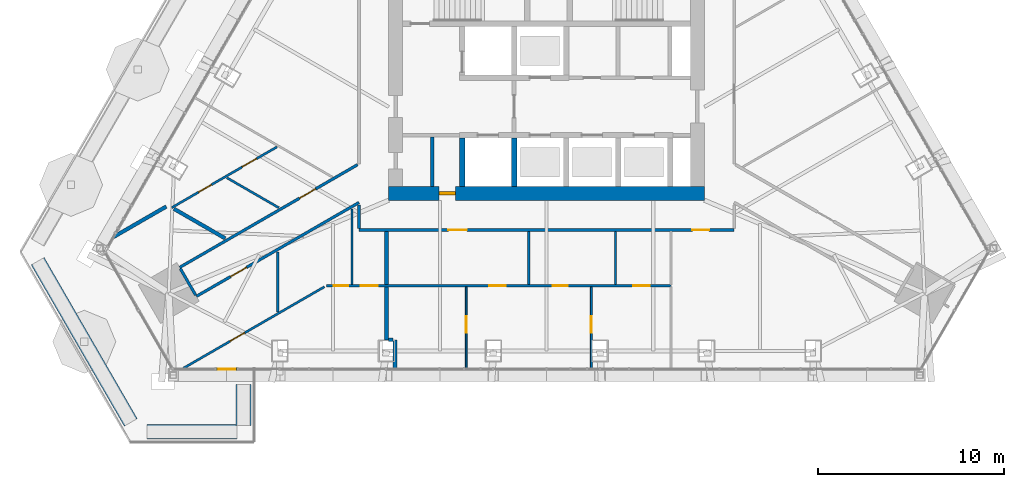
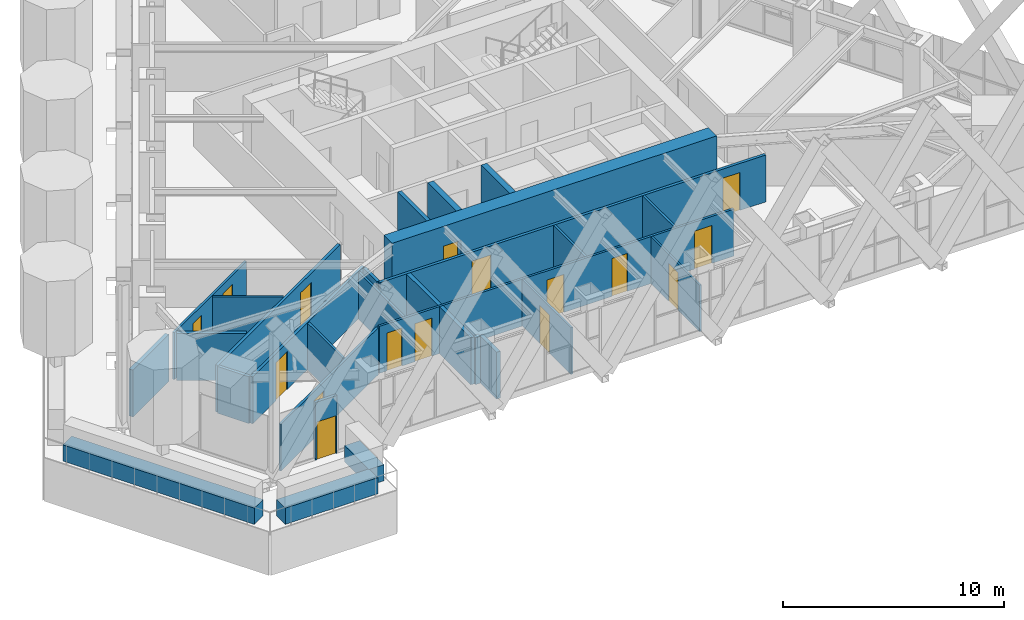
# One storey, part 18 of 24: 29 walls, 16 doors, 16 openings, 1 element without a shape of its own.
"""IFC4 building model written with IfcOpenShell, lengths in metres."""

from ifc_helpers import new_model, si_unit, direction, frame, frame_2d, origin, place, context, subcontext, project, spatial, rectangle, extrude, material, layer, layer_set, type_object, element, fill, aggregate, save


model = new_model("IFC4")

# Units and contexts
model_context = context("Model", 3, precision=1e-05, world=origin(), true_north=direction((0.0, 1.0)))
body_context = subcontext(model_context, "Body", "Model", "MODEL_VIEW")
ifc_project = project(units=[si_unit("LENGTHUNIT", "METRE"), si_unit("AREAUNIT", "SQUARE_METRE"), si_unit("VOLUMEUNIT", "CUBIC_METRE"), si_unit("PLANEANGLEUNIT", "RADIAN"), si_unit("MASSUNIT", "GRAM", prefix="KILO")], contexts=[model_context])

# Site, building, storey
site_placement = place(None, origin())
site = spatial("IfcSite", under=ifc_project, at=site_placement, CompositionType="ELEMENT")
building_placement = place(site_placement, origin())
building = spatial("IfcBuilding", under=site, at=building_placement, Name="Firuza Gate Tower and Library", CompositionType="ELEMENT")
storey_placement = place(building_placement, frame((0.0, 0.0, 323.10009765625)))
storey = spatial("IfcBuildingStorey", under=building, at=storey_placement, Name="L79", CompositionType="ELEMENT", Elevation=323.10009765625)

# Walls
ifc_material_1 = material(Name="Plasterboard on steel studs", Category="steel")
ifc_layer_1 = layer(ifc_material_1, 0.199951171875)
ifc_layer_set_1 = layer_set([ifc_layer_1], Name="Core partition 200 EI 120")
wall_type_1 = type_object("IfcWallType", Name="Core partition 200 EI 120", PredefinedType="PARTITIONING", material=ifc_layer_set_1)
wall_1_placement = place(storey_placement, frame((68.85009765625, 69.0, 0.0), z_axis=(0.0, 0.0, 1.0), x_axis=(0.0, 1.0, 0.0)))
element("IfcWall", 1, at=wall_1_placement, inside=storey, type_object=wall_type_1, Name="Core partition L79 4", PredefinedType="PARTITIONING", context=body_context, shape_type="SweptSolid", body=[
    extrude(rectangle(XDim=2.64990234375, YDim=0.199951171875, at=frame_2d((1.324951171875, 0.0))), origin(), (0.0, 0.0, 1.0), 3.199951171875),
])
ifc_material_2 = material(Name="Concrete C60/75", Category="concrete")
ifc_layer_2 = layer(ifc_material_2, 0.300048828125)
ifc_layer_set_2 = layer_set([ifc_layer_2], Name="Core wall 300 C60/75")
wall_type_2 = type_object("IfcWallType", Name="Core wall 300 C60/75", PredefinedType="SHEAR", material=ifc_layer_set_2)
for number, where, z_axis, x_axis, name in (
    (2, (70.449951171875, 69.0, 0.0), (0.0, 0.0, 1.0), (0.0, 1.0, 0.0), "Core wall L79 7"),
    (3, (73.25, 69.0, 0.0), (0.0, 0.0, 1.0), (0.0, 1.0, 0.0), "Core wall L79 9"),
):
    element("IfcWall", number, at=place(storey_placement, frame(where, z_axis=z_axis, x_axis=x_axis)), inside=storey, type_object=wall_type_2, Name=name, PredefinedType="SHEAR", context=body_context, shape_type="SweptSolid", body=[
        extrude(rectangle(XDim=2.60009765625, YDim=0.300048828125, at=frame_2d((1.300048828125, 0.0))), origin(), (0.0, 0.0, 1.0), 3.199951171875),
    ])

# Wall, opening, door
ifc_material_3 = material(Name="Concrete C60/75", Category="concrete")
ifc_layer_3 = layer(ifc_material_3, 0.75)
ifc_layer_set_3 = layer_set([ifc_layer_3], Name="Core wall 750 C60/75")
wall_type_3 = type_object("IfcWallType", Name="Core wall 750 C60/75", PredefinedType="SHEAR", material=ifc_layer_set_3)
wall_2_placement = place(storey_placement, frame((66.5, 68.625, 0.0), z_axis=(0.0, 0.0, 1.0), x_axis=(1.0, 0.0, 0.0)))
wall_2 = element("IfcWall", 4, at=wall_2_placement, inside=storey, type_object=wall_type_3, Name="Core wall L79 1", PredefinedType="SHEAR", context=body_context, shape_type="SweptSolid", body=[
    extrude(rectangle(XDim=17.0, YDim=0.75, at=frame_2d((8.5, 0.0))), origin(), (0.0, 0.0, 1.0), 3.199951171875),
])
opening_1_placement = place(wall_2_placement, frame((2.699951171875, 0.0, 0.0)))
opening_1 = element("IfcOpeningElement", 5, at=opening_1_placement, cuts=wall_2, Name="Opening L79-K18", PredefinedType="OPENING", context=body_context, shape_type="SweptSolid", body=[
    extrude(rectangle(XDim=0.89990234375, YDim=2.10009765625, at=frame_2d((0.449951171875, 1.050048828125))), frame((0.0, 0.385009765625, 0.0), z_axis=(0.0, -1.0, 0.0), x_axis=(1.0, 0.0, 0.0)), (0.0, 0.0, 1.0), 0.77001953125),
])
ifc_material_4 = material(Name="Steel", Category="steel")
door_type_1 = type_object("IfcDoorType", Name="Fire door 900x2100 FD30S", OperationType="NOTDEFINED", PredefinedType="DOOR", material=ifc_material_4)
door_1_placement = place(opening_1_placement, origin())
door_1 = element("IfcDoor", 6, at=door_1_placement, inside=storey, type_object=door_type_1, Name="Door L79-K18", OperationType="SINGLE_SWING_LEFT", OverallHeight=2.10009765625, OverallWidth=0.89990234375, PredefinedType="DOOR", context=body_context, shape_type="SweptSolid", body=[
    extrude(rectangle(XDim=0.89990234375, YDim=2.10009765625, at=frame_2d((0.449951171875, 1.050048828125))), frame((0.0, 0.094970703125, 0.0), z_axis=(0.0, -1.0, 0.0), x_axis=(1.0, 0.0, 0.0)), (0.0, 0.0, 1.0), 0.18994140625),
])
fill(opening_1, door_1)

# Wall, openings, doors
ifc_material_5 = material(Name="Gypsum board partition")
ifc_layer_4 = layer(ifc_material_5, 0.14990234375)
ifc_layer_set_4 = layer_set([ifc_layer_4], Name="Corridor wall 150 double board on steel studs")
wall_type_4 = type_object("IfcWallType", Name="Corridor wall 150 double board on steel studs", PredefinedType="PARTITIONING", material=ifc_layer_set_4)
wall_3_placement = place(storey_placement, frame((85.099365234375, 66.64990234375, 0.0), z_axis=(0.0, 0.0, 1.0), x_axis=(-1.0, 0.0, 0.0)))
wall_3 = element("IfcWall", 7, at=wall_3_placement, inside=storey, type_object=wall_type_4, Name="f:L79:w002", PredefinedType="PARTITIONING", context=body_context, shape_type="SweptSolid", body=[
    extrude(rectangle(XDim=20.199462890625, YDim=0.14990234375, at=frame_2d((10.099609375, 0.0))), origin(), (0.0, 0.0, 1.0), 2.599853515625),
])
opening_2_placement = place(wall_3_placement, frame((1.3505859375, 0.0, 0.0)))
opening_2 = element("IfcOpeningElement", 8, at=opening_2_placement, cuts=wall_3, Name="Opening L79-06", PredefinedType="OPENING", context=body_context, shape_type="SweptSolid", body=[
    extrude(rectangle(XDim=0.89990234375, YDim=2.10009765625, at=frame_2d((0.449951171875, 1.050048828125))), frame((0.0, 0.0849609375, 0.0), z_axis=(0.0, -1.0, 0.0), x_axis=(1.0, 0.0, 0.0)), (0.0, 0.0, 1.0), 0.169921875),
])
opening_3_placement = place(wall_3_placement, frame((14.38623046875, 0.0, 0.0)))
opening_3 = element("IfcOpeningElement", 9, at=opening_3_placement, cuts=wall_3, Name="Opening L79-07", PredefinedType="OPENING", context=body_context, shape_type="SweptSolid", body=[
    extrude(rectangle(XDim=1.0, YDim=2.10009765625, at=frame_2d((0.5, 1.050048828125))), frame((0.0, 0.0849609375, 0.0), z_axis=(0.0, -1.0, 0.0), x_axis=(1.0, 0.0, 0.0)), (0.0, 0.0, 1.0), 0.169921875),
])
ifc_material_6 = material(Name="Steel door and timber leaf", Category="steel")
door_type_2 = type_object("IfcDoorType", Name="Fire door 1000 x 2100 steel frame, timber leaf", OperationType="NOTDEFINED", PredefinedType="DOOR", material=ifc_material_6)
door_2_placement = place(opening_3_placement, origin())
door_2 = element("IfcDoor", 10, at=door_2_placement, inside=storey, type_object=door_type_2, Name="f:L79:d007", OperationType="SINGLE_SWING_RIGHT", OverallHeight=2.10009765625, OverallWidth=1.0, PredefinedType="DOOR", context=body_context, shape_type="SweptSolid", body=[
    extrude(rectangle(XDim=1.0, YDim=2.10009765625, at=frame_2d((0.5, 1.050048828125))), frame((0.0, 0.02490234375, 0.0), z_axis=(0.0, -1.0, 0.0), x_axis=(1.0, 0.0, 0.0)), (0.0, 0.0, 1.0), 0.050048828125),
])
fill(opening_3, door_2)
ifc_material_7 = material(Name="Steel door and timber leaf", Category="steel")
door_type_3 = type_object("IfcDoorType", Name="Fire door 900 x 2100 steel frame, timber leaf", OperationType="NOTDEFINED", PredefinedType="DOOR", material=ifc_material_7)
door_3_placement = place(opening_2_placement, origin())
door_3 = element("IfcDoor", 11, at=door_3_placement, inside=storey, type_object=door_type_3, Name="f:L79:d006", OperationType="SINGLE_SWING_RIGHT", OverallHeight=2.10009765625, OverallWidth=0.89990234375, PredefinedType="DOOR", context=body_context, shape_type="SweptSolid", body=[
    extrude(rectangle(XDim=0.89990234375, YDim=2.10009765625, at=frame_2d((0.449951171875, 1.050048828125))), frame((0.0, 0.02490234375, 0.0), z_axis=(0.0, -1.0, 0.0), x_axis=(1.0, 0.0, 0.0)), (0.0, 0.0, 1.0), 0.050048828125),
])
fill(opening_2, door_3)

# Wall, opening, door
wall_4_placement = place(storey_placement, frame((56.14453125, 63.07470703125, 0.0), z_axis=(0.0, 0.0, 1.0), x_axis=(0.866024727794, 0.500001170848, 0.0)))
wall_4 = element("IfcWall", 12, at=wall_4_placement, inside=storey, type_object=wall_type_4, Name="f:L79:w015", PredefinedType="PARTITIONING", context=body_context, shape_type="SweptSolid", body=[
    extrude(rectangle(XDim=10.10986328125, YDim=0.14990234375, at=frame_2d((5.054931640625, 0.0))), origin(), (0.0, 0.0, 1.0), 2.596923828125),
])
opening_4_placement = place(wall_4_placement, frame((2.12841796875, 0.0, 0.0)))
opening_4 = element("IfcOpeningElement", 13, at=opening_4_placement, cuts=wall_4, Name="Opening L79-13", PredefinedType="OPENING", context=body_context, shape_type="SweptSolid", body=[
    extrude(rectangle(XDim=1.0, YDim=2.10009765625, at=frame_2d((0.5, 1.050048828125))), frame((0.0, 0.0849609375, 0.0), z_axis=(0.0, -1.0, 0.0), x_axis=(1.0, 0.0, 0.0)), (0.0, 0.0, 1.0), 0.169921875),
])
door_4_placement = place(opening_4_placement, origin())
door_4 = element("IfcDoor", 14, at=door_4_placement, inside=storey, type_object=door_type_2, Name="f:L79:d013", OperationType="SINGLE_SWING_LEFT", OverallHeight=2.10009765625, OverallWidth=1.0, PredefinedType="DOOR", context=body_context, shape_type="SweptSolid", body=[
    extrude(rectangle(XDim=1.0, YDim=2.10009765625, at=frame_2d((0.5, 1.050048828125))), frame((0.0, 0.02490234375, 0.0), z_axis=(0.0, -1.0, 0.0), x_axis=(1.0, 0.0, 0.0)), (0.0, 0.0, 1.0), 0.050048828125),
])
fill(opening_4, door_4)

wall_5_placement = place(storey_placement, frame((55.244384765625, 64.633544921875, 0.0), z_axis=(0.0, 0.0, 1.0), x_axis=(0.866029028053, 0.499993722531, 0.0)))
wall_5 = element("IfcWall", 15, at=wall_5_placement, inside=storey, type_object=wall_type_4, Name="f:L79:w016", PredefinedType="PARTITIONING", context=body_context, shape_type="SweptSolid", body=[
    extrude(rectangle(XDim=11.062744140625, YDim=0.14990234375, at=frame_2d((5.53125, 0.0))), origin(), (0.0, 0.0, 1.0), 2.599853515625),
])
opening_5_placement = place(wall_5_placement, frame((7.454345703125, 0.0, 0.0)))
opening_5 = element("IfcOpeningElement", 16, at=opening_5_placement, cuts=wall_5, Name="Opening L79-14", PredefinedType="OPENING", context=body_context, shape_type="SweptSolid", body=[
    extrude(rectangle(XDim=1.0, YDim=2.10009765625, at=frame_2d((0.5, 1.050048828125))), frame((0.0, 0.0849609375, 0.0), z_axis=(0.0, -1.0, 0.0), x_axis=(1.0, 0.0, 0.0)), (0.0, 0.0, 1.0), 0.169921875),
])
door_5_placement = place(opening_5_placement, origin())
door_5 = element("IfcDoor", 17, at=door_5_placement, inside=storey, type_object=door_type_2, Name="f:L79:d014", OperationType="SINGLE_SWING_LEFT", OverallHeight=2.10009765625, OverallWidth=1.0, PredefinedType="DOOR", context=body_context, shape_type="SweptSolid", body=[
    extrude(rectangle(XDim=1.0, YDim=2.10009765625, at=frame_2d((0.5, 1.050048828125))), frame((0.0, 0.02490234375, 0.0), z_axis=(0.0, -1.0, 0.0), x_axis=(1.0, 0.0, 0.0)), (0.0, 0.0, 1.0), 0.050048828125),
])
fill(opening_5, door_5)

# Walls
wall_6_placement = place(storey_placement, frame((64.89990234375, 66.72509765625, 0.0), z_axis=(0.0, 0.0, 1.0), x_axis=(0.0, 1.0, 0.0)))
element("IfcWall", 18, at=wall_6_placement, inside=storey, type_object=wall_type_4, Name="f:L79:w039", PredefinedType="PARTITIONING", context=body_context, shape_type="SweptSolid", body=[
    extrude(rectangle(XDim=1.267822265625, YDim=0.14990234375, at=frame_2d((0.6337890625, 0.0))), origin(), (0.0, 0.0, 1.0), 2.596923828125),
])
wall_7_placement = place(storey_placement, frame((56.10595703125, 63.139404296875, 0.0), z_axis=(0.0, 0.0, 1.0), x_axis=(-0.499944585209, 0.866057395165, 0.0)))
element("IfcWall", 19, at=wall_7_placement, inside=storey, type_object=wall_type_4, Name="f:L79:w044", PredefinedType="PARTITIONING", context=body_context, shape_type="SweptSolid", body=[
    extrude(rectangle(XDim=1.649169921875, YDim=0.14990234375, at=frame_2d((0.82470703125, 0.0))), origin(), (0.0, 0.0, 1.0), 2.596923828125),
])
ifc_material_8 = material(Name="Gypsum board partition")
ifc_layer_5 = layer(ifc_material_8, 0.199951171875)
ifc_layer_set_5 = layer_set([ifc_layer_5], Name="Demising wall 200 acoustic double stud")
wall_type_5 = type_object("IfcWallType", Name="Demising wall 200 acoustic double stud", PredefinedType="PARTITIONING", material=ifc_layer_set_5)
wall_8_placement = place(storey_placement, frame((66.48388671875, 60.736083984375, 0.0), z_axis=(0.0, 0.0, 1.0), x_axis=(1.0, 0.0, 0.0)))
element("IfcWall", 20, at=wall_8_placement, inside=storey, type_object=wall_type_5, Name="f:L79:w000", PredefinedType="PARTITIONING", context=body_context, shape_type="SweptSolid", body=[
    extrude(rectangle(XDim=0.25, YDim=0.199951171875, at=frame_2d((0.125, 0.0))), origin(), (0.0, 0.0, 1.0), 2.599853515625),
])
wall_9_placement = place(storey_placement, frame((51.692138671875, 66.277587890625, 0.0), z_axis=(0.0, 0.0, 1.0), x_axis=(0.866020247087, 0.500008931556, 0.0)))
element("IfcWall", 21, at=wall_9_placement, inside=storey, type_object=wall_type_5, Name="f:L79:w018", PredefinedType="PARTITIONING", context=body_context, shape_type="SweptSolid", body=[
    extrude(rectangle(XDim=3.2705078125, YDim=0.199951171875, at=frame_2d((1.63525390625, 0.0))), origin(), (0.0, 0.0, 1.0), 2.599853515625),
])
wall_10_placement = place(storey_placement, frame((66.833984375, 59.176025390625, 0.0), z_axis=(0.0, 0.0, 1.0), x_axis=(0.0, 1.0, 0.0)))
element("IfcWall", 22, at=wall_10_placement, inside=storey, type_object=wall_type_5, Name="f:L79:w037", PredefinedType="PARTITIONING", context=body_context, shape_type="SweptSolid", body=[
    extrude(rectangle(XDim=1.56005859375, YDim=0.199951171875, at=frame_2d((0.780029296875, 0.0))), origin(), (0.0, 0.0, 1.0), 2.587890625),
])
wall_11_placement = place(storey_placement, frame((66.384033203125, 60.736083984375, 0.0), z_axis=(0.0, 0.0, 1.0), x_axis=(0.0, 1.0, 0.0)))
element("IfcWall", 23, at=wall_11_placement, inside=storey, type_object=wall_type_5, Name="f:L79:w038", PredefinedType="PARTITIONING", context=body_context, shape_type="SweptSolid", body=[
    extrude(rectangle(XDim=2.85400390625, YDim=0.199951171875, at=frame_2d((1.427001953125, 0.0))), origin(), (0.0, 0.0, 1.0), 2.599853515625),
])
wall_12_placement = place(storey_placement, frame((57.6982421875, 66.196533203125, 0.0), z_axis=(0.0, 0.0, 1.0), x_axis=(-0.866019818373, 0.500009674092, 0.0)))
element("IfcWall", 24, at=wall_12_placement, inside=storey, type_object=wall_type_5, Name="f:L79:w052", PredefinedType="PARTITIONING", context=body_context, shape_type="SweptSolid", body=[
    extrude(rectangle(XDim=3.1884765625, YDim=0.199951171875, at=frame_2d((1.59423828125, 0.0))), origin(), (0.0, 0.0, 1.0), 2.599853515625),
])
wall_13_placement = place(storey_placement, frame((66.384033203125, 63.7099609375, 0.0), z_axis=(0.0, 0.0, 1.0), x_axis=(0.0, 1.0, 0.0)))
element("IfcWall", 25, at=wall_13_placement, inside=storey, type_object=wall_type_5, Name="f:L79:w055", PredefinedType="PARTITIONING", context=body_context, shape_type="SweptSolid", body=[
    extrude(rectangle(XDim=2.864990234375, YDim=0.199951171875, at=frame_2d((1.4326171875, 0.0))), origin(), (0.0, 0.0, 1.0), 2.599853515625),
])

# Wall, opening, door
ifc_material_9 = material(Name="Gypsum board partition")
ifc_layer_6 = layer(ifc_material_9, 0.10009765625)
ifc_layer_set_6 = layer_set([ifc_layer_6], Name="Partition 100 gypsum board on steel studs")
wall_type_6 = type_object("IfcWallType", Name="Partition 100 gypsum board on steel studs", PredefinedType="PARTITIONING", material=ifc_layer_set_6)
wall_14_placement = place(storey_placement, frame((77.412109375, 63.590087890625, 0.0), z_axis=(0.0, 0.0, 1.0), x_axis=(0.0, -1.0, 0.0)))
wall_14 = element("IfcWall", 26, at=wall_14_placement, inside=storey, type_object=wall_type_6, Name="f:L79:w028", PredefinedType="PARTITIONING", context=body_context, shape_type="SweptSolid", body=[
    extrude(rectangle(XDim=4.4140625, YDim=0.10009765625, at=frame_2d((2.20703125, 0.0))), origin(), (0.0, 0.0, 1.0), 2.587890625),
])
opening_6_placement = place(wall_14_placement, frame((1.576904296875, 0.0, 0.0)))
opening_6 = element("IfcOpeningElement", 27, at=opening_6_placement, cuts=wall_14, Name="Opening L79-18", PredefinedType="OPENING", context=body_context, shape_type="SweptSolid", body=[
    extrude(rectangle(XDim=0.89990234375, YDim=2.10009765625, at=frame_2d((0.449951171875, 1.050048828125))), frame((0.0, 0.06005859375, 0.0), z_axis=(0.0, -1.0, 0.0), x_axis=(1.0, 0.0, 0.0)), (0.0, 0.0, 1.0), 0.1201171875),
])
ifc_material_10 = material(Name="Timber door", Category="wood")
door_type_4 = type_object("IfcDoorType", Name="Door 900 x 2100 timber leaf", OperationType="NOTDEFINED", PredefinedType="DOOR", material=ifc_material_10)
door_6_placement = place(opening_6_placement, origin())
door_6 = element("IfcDoor", 28, at=door_6_placement, inside=storey, type_object=door_type_4, Name="f:L79:d018", OperationType="SINGLE_SWING_LEFT", OverallHeight=2.10009765625, OverallWidth=0.89990234375, PredefinedType="DOOR", context=body_context, shape_type="SweptSolid", body=[
    extrude(rectangle(XDim=0.89990234375, YDim=2.10009765625, at=frame_2d((0.449951171875, 1.050048828125))), frame((0.0, 0.02490234375, 0.0), z_axis=(0.0, -1.0, 0.0), x_axis=(1.0, 0.0, 0.0)), (0.0, 0.0, 1.0), 0.050048828125),
])
fill(opening_6, door_6)

wall_15_placement = place(storey_placement, frame((70.673095703125, 59.176025390625, 0.0), z_axis=(0.0, 0.0, 1.0), x_axis=(0.0, 1.0, 0.0)))
wall_15 = element("IfcWall", 29, at=wall_15_placement, inside=storey, type_object=wall_type_6, Name="f:L79:w035", PredefinedType="PARTITIONING", context=body_context, shape_type="SweptSolid", body=[
    extrude(rectangle(XDim=4.4140625, YDim=0.10009765625, at=frame_2d((2.20703125, 0.0))), origin(), (0.0, 0.0, 1.0), 2.587890625),
])
opening_7_placement = place(wall_15_placement, frame((1.93701171875, 0.0, 0.0)))
opening_7 = element("IfcOpeningElement", 30, at=opening_7_placement, cuts=wall_15, Name="Opening L79-19", PredefinedType="OPENING", context=body_context, shape_type="SweptSolid", body=[
    extrude(rectangle(XDim=0.89990234375, YDim=2.10009765625, at=frame_2d((0.449951171875, 1.050048828125))), frame((0.0, 0.06005859375, 0.0), z_axis=(0.0, -1.0, 0.0), x_axis=(1.0, 0.0, 0.0)), (0.0, 0.0, 1.0), 0.1201171875),
])
door_7_placement = place(opening_7_placement, origin())
door_7 = element("IfcDoor", 31, at=door_7_placement, inside=storey, type_object=door_type_4, Name="f:L79:d019", OperationType="SINGLE_SWING_LEFT", OverallHeight=2.10009765625, OverallWidth=0.89990234375, PredefinedType="DOOR", context=body_context, shape_type="SweptSolid", body=[
    extrude(rectangle(XDim=0.89990234375, YDim=2.10009765625, at=frame_2d((0.449951171875, 1.050048828125))), frame((0.0, 0.02490234375, 0.0), z_axis=(0.0, -1.0, 0.0), x_axis=(1.0, 0.0, 0.0)), (0.0, 0.0, 1.0), 0.050048828125),
])
fill(opening_7, door_7)

# Walls
ifc_material_11 = material(Name="Concrete C40/50", Category="concrete")
ifc_layer_7 = layer(ifc_material_11, 0.800048828125)
ifc_layer_set_7 = layer_set([ifc_layer_7], Name="Planter wall 800")
wall_type_7 = type_object("IfcWallType", Name="Planter wall 800", PredefinedType="SOLIDWALL", material=ifc_layer_set_7)
wall_16_placement = place(storey_placement, frame((47.603515625, 64.967041015625, 0.0), z_axis=(0.0, 0.0, 1.0), x_axis=(0.49999175339, -0.866030164915, 0.0)))
element("IfcWall", 32, at=wall_16_placement, inside=storey, type_object=wall_type_7, Name="PLANTER L79 5", PredefinedType="SOLIDWALL", context=body_context, shape_type="SweptSolid", body=[
    extrude(rectangle(XDim=10.018798828125, YDim=0.800048828125, at=frame_2d((5.00927734375, 0.0))), origin(), (0.0, 0.0, 1.0), 0.89990234375),
])
wall_17_placement = place(storey_placement, frame((53.486572265625, 55.7861328125, 0.0), z_axis=(0.0, 0.0, 1.0), x_axis=(1.0, 0.0, 0.0)))
element("IfcWall", 33, at=wall_17_placement, inside=storey, type_object=wall_type_7, Name="PLANTER L79 6", PredefinedType="SOLIDWALL", context=body_context, shape_type="SweptSolid", body=[
    extrude(rectangle(XDim=4.849365234375, YDim=0.800048828125, at=frame_2d((2.4248046875, 0.0))), origin(), (0.0, 0.0, 1.0), 0.89990234375),
])
wall_18_placement = place(storey_placement, frame((58.68603515625, 56.135986328125, 0.0), z_axis=(0.0, 0.0, 1.0), x_axis=(0.0, 1.0, 0.0)))
element("IfcWall", 34, at=wall_18_placement, inside=storey, type_object=wall_type_7, Name="PLANTER L79 7", PredefinedType="SOLIDWALL", context=body_context, shape_type="SweptSolid", body=[
    extrude(rectangle(XDim=2.199951171875, YDim=0.800048828125, at=frame_2d((1.10009765625, 0.0))), origin(), (0.0, 0.0, 1.0), 0.89990234375),
])

# Curtain wall, wall, opening, door
ifc_material_12 = material(Name="Aluminium 6063-T6", Category="aluminium")
ifc_layer_8 = layer(ifc_material_12, 0.14990234375)
ifc_layer_set_8 = layer_set([ifc_layer_8], Name="Unitised curtain wall, residences")
curtain_wall_type = type_object("IfcCurtainWallType", Name="Unitised curtain wall, residences", PredefinedType="NOTDEFINED", material=ifc_layer_set_8)
curtain_wall_placement = place(storey_placement, origin())
curtain_wall = element("IfcCurtainWall", 35, at=curtain_wall_placement, inside=storey, type_object=curtain_wall_type, Name="CW3 L79 S face", PredefinedType="NOTDEFINED")
ifc_material_13 = material(Name="Aluminium 6063-T6", Category="aluminium")
ifc_layer_9 = layer(ifc_material_13, 0.14990234375)
ifc_layer_set_9 = layer_set([ifc_layer_9], Name="Terrace door wall 150")
wall_type_8 = type_object("IfcWallType", Name="Terrace door wall 150", PredefinedType="SOLIDWALL", material=ifc_layer_set_9)
wall_19_placement = place(storey_placement, frame((57.212646484375, 59.1611328125, 0.0), z_axis=(0.0, 0.0, 1.0), x_axis=(1.0, 0.0, 0.0)))
wall_19 = element("IfcWall", 36, at=wall_19_placement, type_object=wall_type_8, Name="Terrace door wall", PredefinedType="SOLIDWALL", context=body_context, shape_type="SweptSolid", body=[
    extrude(rectangle(XDim=1.1201171875, YDim=0.14990234375, at=frame_2d((0.56005859375, 0.0))), origin(), (0.0, 0.0, 1.0), 3.199951171875),
])
opening_8_placement = place(wall_19_placement, frame((0.06005859375, 0.0, 0.0)))
opening_8 = element("IfcOpeningElement", 37, at=opening_8_placement, cuts=wall_19, Name="Opening DR6", PredefinedType="OPENING", context=body_context, shape_type="SweptSolid", body=[
    extrude(rectangle(XDim=1.0, YDim=2.10009765625, at=frame_2d((0.5, 1.050048828125))), frame((0.0, 0.0849609375, 0.0), z_axis=(0.0, -1.0, 0.0), x_axis=(1.0, 0.0, 0.0)), (0.0, 0.0, 1.0), 0.169921875),
])
ifc_material_14 = material(Name="Aluminium 6063-T6 and glass", Category="aluminium")
door_type_5 = type_object("IfcDoorType", Name="Terrace door 1000x2100", OperationType="NOTDEFINED", PredefinedType="DOOR", material=ifc_material_14)
door_8_placement = place(opening_8_placement, origin())
door_8 = element("IfcDoor", 38, at=door_8_placement, inside=storey, type_object=door_type_5, Name="Terrace door", OperationType="SINGLE_SWING_RIGHT", OverallHeight=2.10009765625, OverallWidth=1.0, PredefinedType="DOOR", context=body_context, shape_type="SweptSolid", body=[
    extrude(rectangle(XDim=1.0, YDim=2.10009765625, at=frame_2d((0.5, 1.050048828125))), frame((0.0, 0.02490234375, 0.0), z_axis=(0.0, -1.0, 0.0), x_axis=(1.0, 0.0, 0.0)), (0.0, 0.0, 1.0), 0.050048828125),
])
fill(opening_8, door_8)
aggregate(curtain_wall, [wall_19])

# Wall, openings, doors
ifc_material_15 = material(Name="Gypsum board partition")
ifc_layer_10 = layer(ifc_material_15, 0.1201171875)
ifc_layer_set_10 = layer_set([ifc_layer_10], Name="Wet-area partition 120 moisture-resistant board")
wall_type_9 = type_object("IfcWallType", Name="Wet-area partition 120 moisture-resistant board", PredefinedType="PARTITIONING", material=ifc_layer_set_10)
wall_20_placement = place(storey_placement, frame((63.14111328125, 63.64990234375, 0.0), z_axis=(0.0, 0.0, 1.0), x_axis=(1.0, 0.0, 0.0)))
wall_20 = element("IfcWall", 39, at=wall_20_placement, inside=storey, type_object=wall_type_9, Name="f:L79:w001", PredefinedType="PARTITIONING", context=body_context, shape_type="SweptSolid", body=[
    extrude(rectangle(XDim=18.560302734375, YDim=0.1201171875, at=frame_2d((9.2802734375, 0.0))), origin(), (0.0, 0.0, 1.0), 2.599853515625),
])
opening_9_placement = place(wall_20_placement, frame((0.390625, 0.0, 0.0)))
opening_9 = element("IfcOpeningElement", 40, at=opening_9_placement, cuts=wall_20, Name="Opening L79-01", PredefinedType="OPENING", context=body_context, shape_type="SweptSolid", body=[
    extrude(rectangle(XDim=0.800048828125, YDim=2.10009765625, at=frame_2d((0.39990234375, 1.050048828125))), frame((0.0, 0.070068359375, 0.0), z_axis=(0.0, -1.0, 0.0), x_axis=(1.0, 0.0, 0.0)), (0.0, 0.0, 1.0), 0.14013671875),
])
opening_10_placement = place(wall_20_placement, frame((1.862060546875, 0.0, 0.0)))
opening_10 = element("IfcOpeningElement", 41, at=opening_10_placement, cuts=wall_20, Name="Opening L79-02", PredefinedType="OPENING", context=body_context, shape_type="SweptSolid", body=[
    extrude(rectangle(XDim=0.89990234375, YDim=2.10009765625, at=frame_2d((0.449951171875, 1.050048828125))), frame((0.0, 0.070068359375, 0.0), z_axis=(0.0, -1.0, 0.0), x_axis=(1.0, 0.0, 0.0)), (0.0, 0.0, 1.0), 0.14013671875),
])
opening_11_placement = place(wall_20_placement, frame((8.76806640625, 0.0, 0.0)))
opening_11 = element("IfcOpeningElement", 42, at=opening_11_placement, cuts=wall_20, Name="Opening L79-03", PredefinedType="OPENING", context=body_context, shape_type="SweptSolid", body=[
    extrude(rectangle(XDim=0.89990234375, YDim=2.10009765625, at=frame_2d((0.449951171875, 1.050048828125))), frame((0.0, 0.070068359375, 0.0), z_axis=(0.0, -1.0, 0.0), x_axis=(1.0, 0.0, 0.0)), (0.0, 0.0, 1.0), 0.14013671875),
])
opening_12_placement = place(wall_20_placement, frame((12.187744140625, 0.0, 0.0)))
opening_12 = element("IfcOpeningElement", 43, at=opening_12_placement, cuts=wall_20, Name="Opening L79-04", PredefinedType="OPENING", context=body_context, shape_type="SweptSolid", body=[
    extrude(rectangle(XDim=0.800048828125, YDim=2.10009765625, at=frame_2d((0.39990234375, 1.050048828125))), frame((0.0, 0.070068359375, 0.0), z_axis=(0.0, -1.0, 0.0), x_axis=(1.0, 0.0, 0.0)), (0.0, 0.0, 1.0), 0.14013671875),
])
opening_13_placement = place(wall_20_placement, frame((16.51416015625, 0.0, 0.0)))
opening_13 = element("IfcOpeningElement", 44, at=opening_13_placement, cuts=wall_20, Name="Opening L79-05", PredefinedType="OPENING", context=body_context, shape_type="SweptSolid", body=[
    extrude(rectangle(XDim=0.89990234375, YDim=2.10009765625, at=frame_2d((0.449951171875, 1.050048828125))), frame((0.0, 0.070068359375, 0.0), z_axis=(0.0, -1.0, 0.0), x_axis=(1.0, 0.0, 0.0)), (0.0, 0.0, 1.0), 0.14013671875),
])
ifc_material_16 = material(Name="Timber door", Category="wood")
door_type_6 = type_object("IfcDoorType", Name="Door 800 x 2100 timber leaf", OperationType="NOTDEFINED", PredefinedType="DOOR", material=ifc_material_16)
door_9_placement = place(opening_9_placement, origin())
door_9 = element("IfcDoor", 45, at=door_9_placement, inside=storey, type_object=door_type_6, Name="f:L79:d001", OperationType="SINGLE_SWING_RIGHT", OverallHeight=2.10009765625, OverallWidth=0.800048828125, PredefinedType="DOOR", context=body_context, shape_type="SweptSolid", body=[
    extrude(rectangle(XDim=0.800048828125, YDim=2.10009765625, at=frame_2d((0.39990234375, 1.050048828125))), frame((0.0, 0.02490234375, 0.0), z_axis=(0.0, -1.0, 0.0), x_axis=(1.0, 0.0, 0.0)), (0.0, 0.0, 1.0), 0.050048828125),
])
fill(opening_9, door_9)
door_10_placement = place(opening_12_placement, origin())
door_10 = element("IfcDoor", 46, at=door_10_placement, inside=storey, type_object=door_type_6, Name="f:L79:d004", OperationType="SINGLE_SWING_LEFT", OverallHeight=2.10009765625, OverallWidth=0.800048828125, PredefinedType="DOOR", context=body_context, shape_type="SweptSolid", body=[
    extrude(rectangle(XDim=0.800048828125, YDim=2.10009765625, at=frame_2d((0.39990234375, 1.050048828125))), frame((0.0, 0.02490234375, 0.0), z_axis=(0.0, -1.0, 0.0), x_axis=(1.0, 0.0, 0.0)), (0.0, 0.0, 1.0), 0.050048828125),
])
fill(opening_12, door_10)
door_11_placement = place(opening_10_placement, origin())
door_11 = element("IfcDoor", 47, at=door_11_placement, inside=storey, type_object=door_type_4, Name="f:L79:d002", OperationType="SINGLE_SWING_LEFT", OverallHeight=2.10009765625, OverallWidth=0.89990234375, PredefinedType="DOOR", context=body_context, shape_type="SweptSolid", body=[
    extrude(rectangle(XDim=0.89990234375, YDim=2.10009765625, at=frame_2d((0.449951171875, 1.050048828125))), frame((0.0, 0.02490234375, 0.0), z_axis=(0.0, -1.0, 0.0), x_axis=(1.0, 0.0, 0.0)), (0.0, 0.0, 1.0), 0.050048828125),
])
fill(opening_10, door_11)
door_12_placement = place(opening_11_placement, origin())
door_12 = element("IfcDoor", 48, at=door_12_placement, inside=storey, type_object=door_type_4, Name="f:L79:d003", OperationType="SINGLE_SWING_RIGHT", OverallHeight=2.10009765625, OverallWidth=0.89990234375, PredefinedType="DOOR", context=body_context, shape_type="SweptSolid", body=[
    extrude(rectangle(XDim=0.89990234375, YDim=2.10009765625, at=frame_2d((0.449951171875, 1.050048828125))), frame((0.0, 0.02490234375, 0.0), z_axis=(0.0, -1.0, 0.0), x_axis=(1.0, 0.0, 0.0)), (0.0, 0.0, 1.0), 0.050048828125),
])
fill(opening_11, door_12)
door_13_placement = place(opening_13_placement, origin())
door_13 = element("IfcDoor", 49, at=door_13_placement, inside=storey, type_object=door_type_4, Name="f:L79:d005", OperationType="SINGLE_SWING_RIGHT", OverallHeight=2.10009765625, OverallWidth=0.89990234375, PredefinedType="DOOR", context=body_context, shape_type="SweptSolid", body=[
    extrude(rectangle(XDim=0.89990234375, YDim=2.10009765625, at=frame_2d((0.449951171875, 1.050048828125))), frame((0.0, 0.02490234375, 0.0), z_axis=(0.0, -1.0, 0.0), x_axis=(1.0, 0.0, 0.0)), (0.0, 0.0, 1.0), 0.050048828125),
])
fill(opening_13, door_13)

# Wall, opening, door
wall_21_placement = place(storey_placement, frame((63.037353515625, 63.590087890625, 0.0), z_axis=(0.0, 0.0, 1.0), x_axis=(-0.866029008523, -0.499993756358, 0.0)))
wall_21 = element("IfcWall", 50, at=wall_21_placement, inside=storey, type_object=wall_type_9, Name="f:L79:w012", PredefinedType="PARTITIONING", context=body_context, shape_type="SweptSolid", body=[
    extrude(rectangle(XDim=8.828125, YDim=0.1201171875, at=frame_2d((4.4140625, 0.0))), origin(), (0.0, 0.0, 1.0), 2.599853515625),
])
opening_14_placement = place(wall_21_placement, frame((4.954833984375, 0.0, 0.0)))
opening_14 = element("IfcOpeningElement", 51, at=opening_14_placement, cuts=wall_21, Name="Opening L79-12", PredefinedType="OPENING", context=body_context, shape_type="SweptSolid", body=[
    extrude(rectangle(XDim=0.89990234375, YDim=2.10009765625, at=frame_2d((0.449951171875, 1.050048828125))), frame((0.0, 0.070068359375, 0.0), z_axis=(0.0, -1.0, 0.0), x_axis=(1.0, 0.0, 0.0)), (0.0, 0.0, 1.0), 0.14013671875),
])
door_14_placement = place(opening_14_placement, origin())
door_14 = element("IfcDoor", 52, at=door_14_placement, inside=storey, type_object=door_type_4, Name="f:L79:d012", OperationType="SINGLE_SWING_LEFT", OverallHeight=2.10009765625, OverallWidth=0.89990234375, PredefinedType="DOOR", context=body_context, shape_type="SweptSolid", body=[
    extrude(rectangle(XDim=0.89990234375, YDim=2.10009765625, at=frame_2d((0.449951171875, 1.050048828125))), frame((0.0, 0.02490234375, 0.0), z_axis=(0.0, -1.0, 0.0), x_axis=(1.0, 0.0, 0.0)), (0.0, 0.0, 1.0), 0.050048828125),
])
fill(opening_14, door_14)

# Wall, openings, doors
wall_22_placement = place(storey_placement, frame((60.484619140625, 71.123046875, 0.0), z_axis=(0.0, 0.0, 1.0), x_axis=(-0.866018230694, -0.500012423951, 0.0)))
wall_22 = element("IfcWall", 53, at=wall_22_placement, inside=storey, type_object=wall_type_9, Name="f:L79:w017", PredefinedType="PARTITIONING", context=body_context, shape_type="SweptSolid", body=[
    extrude(rectangle(XDim=6.534912109375, YDim=0.1201171875, at=frame_2d((3.267578125, 0.0))), origin(), (0.0, 0.0, 1.0), 2.599853515625),
])
opening_15_placement = place(wall_22_placement, frame((1.2607421875, 0.0, 0.0)))
opening_15 = element("IfcOpeningElement", 54, at=opening_15_placement, cuts=wall_22, Name="Opening L79-15", PredefinedType="OPENING", context=body_context, shape_type="SweptSolid", body=[
    extrude(rectangle(XDim=0.89990234375, YDim=2.10009765625, at=frame_2d((0.449951171875, 1.050048828125))), frame((0.0, 0.070068359375, 0.0), z_axis=(0.0, -1.0, 0.0), x_axis=(1.0, 0.0, 0.0)), (0.0, 0.0, 1.0), 0.14013671875),
])
opening_16_placement = place(wall_22_placement, frame((4.07666015625, 0.0, 0.0)))
opening_16 = element("IfcOpeningElement", 55, at=opening_16_placement, cuts=wall_22, Name="Opening L79-16", PredefinedType="OPENING", context=body_context, shape_type="SweptSolid", body=[
    extrude(rectangle(XDim=0.800048828125, YDim=2.10009765625, at=frame_2d((0.39990234375, 1.050048828125))), frame((0.0, 0.070068359375, 0.0), z_axis=(0.0, -1.0, 0.0), x_axis=(1.0, 0.0, 0.0)), (0.0, 0.0, 1.0), 0.14013671875),
])
door_15_placement = place(opening_16_placement, origin())
door_15 = element("IfcDoor", 56, at=door_15_placement, inside=storey, type_object=door_type_6, Name="f:L79:d016", OperationType="SINGLE_SWING_LEFT", OverallHeight=2.10009765625, OverallWidth=0.800048828125, PredefinedType="DOOR", context=body_context, shape_type="SweptSolid", body=[
    extrude(rectangle(XDim=0.800048828125, YDim=2.10009765625, at=frame_2d((0.39990234375, 1.050048828125))), frame((0.0, 0.02490234375, 0.0), z_axis=(0.0, -1.0, 0.0), x_axis=(1.0, 0.0, 0.0)), (0.0, 0.0, 1.0), 0.050048828125),
])
fill(opening_16, door_15)
door_16_placement = place(opening_15_placement, origin())
door_16 = element("IfcDoor", 57, at=door_16_placement, inside=storey, type_object=door_type_4, Name="f:L79:d015", OperationType="SINGLE_SWING_LEFT", OverallHeight=2.10009765625, OverallWidth=0.89990234375, PredefinedType="DOOR", context=body_context, shape_type="SweptSolid", body=[
    extrude(rectangle(XDim=0.89990234375, YDim=2.10009765625, at=frame_2d((0.449951171875, 1.050048828125))), frame((0.0, 0.02490234375, 0.0), z_axis=(0.0, -1.0, 0.0), x_axis=(1.0, 0.0, 0.0)), (0.0, 0.0, 1.0), 0.050048828125),
])
fill(opening_15, door_16)

# Walls
for number, where, z_axis, x_axis, name in (
    (58, (78.708984375, 63.7099609375, 0.0), (0.0, 0.0, 1.0), (0.0, 1.0, 0.0), "f:L79:w026"),
    (59, (74.04296875, 63.7099609375, 0.0), (0.0, 0.0, 1.0), (0.0, 1.0, 0.0), "f:L79:w033"),
):
    element("IfcWall", number, at=place(storey_placement, frame(where, z_axis=z_axis, x_axis=x_axis)), inside=storey, type_object=wall_type_9, Name=name, PredefinedType="PARTITIONING", context=body_context, shape_type="SweptSolid", body=[
        extrude(rectangle(XDim=2.864990234375, YDim=0.1201171875, at=frame_2d((1.4326171875, 0.0))), origin(), (0.0, 0.0, 1.0), 2.599853515625),
    ])
wall_23_placement = place(storey_placement, frame((64.52294921875, 63.7099609375, 0.0), z_axis=(0.0, 0.0, 1.0), x_axis=(0.0, 1.0, 0.0)))
element("IfcWall", 60, at=wall_23_placement, inside=storey, type_object=wall_type_9, Name="f:L79:w041", PredefinedType="PARTITIONING", context=body_context, shape_type="SweptSolid", body=[
    extrude(rectangle(XDim=4.074951171875, YDim=0.1201171875, at=frame_2d((2.03759765625, 0.0))), origin(), (0.0, 0.0, 1.0), 2.596923828125),
])
for number, where, z_axis, x_axis, name in (
    (61, (60.52099609375, 62.24658203125, 0.0), (0.0, 0.0, 1.0), (0.0, 1.0, 0.0), "f:L79:w042"),
    (62, (60.587646484375, 67.8447265625, 0.0), (0.0, 0.0, 1.0), (-0.86605210011, 0.499953757757, 0.0), "f:L79:w051"),
):
    element("IfcWall", number, at=place(storey_placement, frame(where, z_axis=z_axis, x_axis=x_axis)), inside=storey, type_object=wall_type_9, Name=name, PredefinedType="PARTITIONING", context=body_context, shape_type="SweptSolid", body=[
        extrude(rectangle(XDim=3.228271484375, YDim=0.1201171875, at=frame_2d((1.6142578125, 0.0))), origin(), (0.0, 0.0, 1.0), 2.599853515625),
    ])

save(model, "model.ifc")
